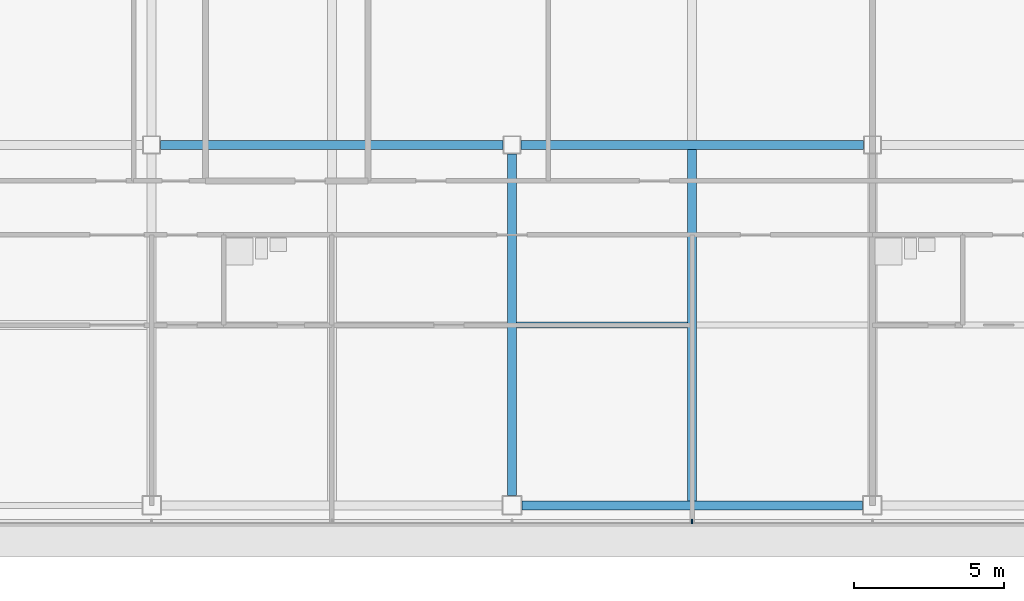
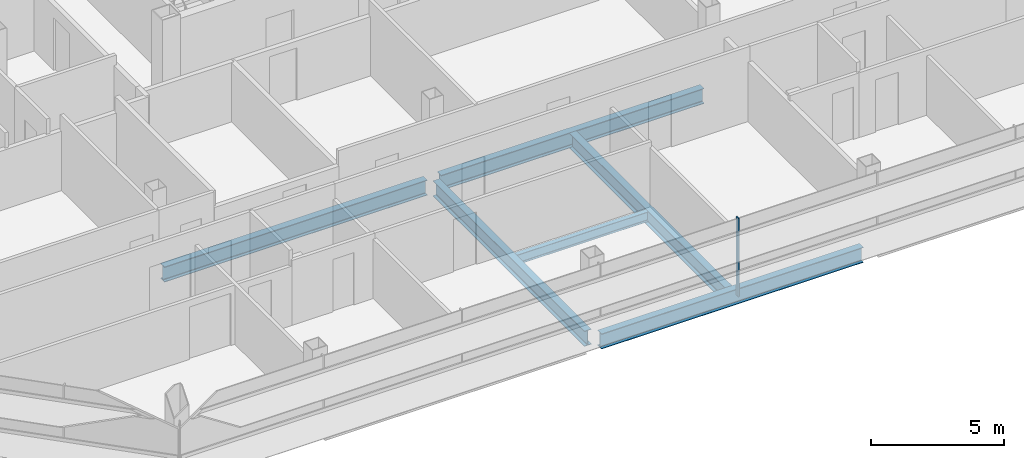
# One storey, part 3 of 26: 6 beams, 1 member, 1 element without a shape of its own.
"""IFC4 building model written with IfcOpenShell, lengths in metres."""

from ifc_helpers import new_model, si_unit, direction, frame, origin, origin_2d, place, context, subcontext, project, spatial, rectangle, i_section, extrude, material, material_profile, profile_set, type_object, element, aggregate, save


model = new_model("IFC4")

# Units and contexts
model_context = context("Model", 3, precision=1e-05, world=origin(), true_north=direction((0.0, 1.0)))
body_context = subcontext(model_context, "Body", "Model", "MODEL_VIEW")
ifc_project = project(units=[si_unit("LENGTHUNIT", "METRE"), si_unit("AREAUNIT", "SQUARE_METRE"), si_unit("VOLUMEUNIT", "CUBIC_METRE"), si_unit("PLANEANGLEUNIT", "RADIAN"), si_unit("MASSUNIT", "GRAM", prefix="KILO")], contexts=[model_context])

# Site, building, storey
site_placement = place(None, origin())
site = spatial("IfcSite", under=ifc_project, at=site_placement, CompositionType="ELEMENT")
building_placement = place(site_placement, origin())
building = spatial("IfcBuilding", under=site, at=building_placement, Name="Sorahane Residences", CompositionType="ELEMENT")
storey_placement = place(building_placement, frame((0.0, 0.0, 222.60009765625)))
storey = spatial("IfcBuildingStorey", under=building, at=storey_placement, Name="L52", CompositionType="ELEMENT", Elevation=222.60009765625)

# Curtain wall, member
ifc_material_1 = material(Name="Dark low-e glass and black anodised aluminium", Category="aluminium")
curtain_wall_type = type_object("IfcCurtainWallType", Name="Curtain wall CW-1 Typical unitised wall", PredefinedType="NOTDEFINED", material=ifc_material_1)
curtain_wall_placement = place(storey_placement, origin())
curtain_wall = element("IfcCurtainWall", 1, at=curtain_wall_placement, inside=storey, type_object=curtain_wall_type, Name="CW-1 curtain wall L52 S1", PredefinedType="NOTDEFINED")
ifc_material_2 = material(Name="Black anodised aluminium", Category="aluminium")
ifc_material_profile_1 = material_profile(ifc_material_2, rectangle(XDim=0.159912109375, YDim=0.050048828125, at=origin_2d()), Name="Curtain wall mullion CW-1 black anodised aluminium 50x160")
ifc_profile_set_1 = profile_set([ifc_material_profile_1], Name="Black anodised aluminium")
member_type = type_object("IfcMemberType", Name="Curtain wall mullion CW-1 black anodised aluminium 50x160", PredefinedType="MULLION", material=ifc_profile_set_1)
member_placement = place(storey_placement, frame((18.0, -0.5400390625, -0.18017578125), z_axis=(0.0, 0.0, 1.0), x_axis=(0.0, -1.0, 0.0)))
member = element("IfcMember", 2, at=member_placement, type_object=member_type, Name="CW-1 mullion L52 S1.5", PredefinedType="MULLION", context=body_context, shape_type="SweptSolid", body=[
    extrude(rectangle(XDim=0.159912109375, YDim=0.050048828125, at=origin_2d()), origin(), (0.0, 0.0, 1.0), 3.60009765625),
])
aggregate(curtain_wall, [member])

# Beams
ifc_material_3 = material(Name="Steel Q355B", Category="steel")
ifc_material_profile_2 = material_profile(ifc_material_3, i_section(OverallWidth=0.199951171875, OverallDepth=0.449951171875, WebThickness=0.009033203125, FlangeThickness=0.013916015625, FilletRadius=0.02001953125, at=origin_2d()), Name="HN 450x200x9x14")
ifc_profile_set_2 = profile_set([ifc_material_profile_2], Name="Steel Q355B")
beam_type_1 = type_object("IfcBeamType", Name="Steel floor beam HN 450x200x9x14 Q355B", PredefinedType="BEAM", material=ifc_profile_set_2)
beam_1_placement = place(storey_placement, frame((12.14990234375, 6.0, -0.405029296875), z_axis=(1.0, 0.0, 0.0), x_axis=(0.0, 1.0, 0.0)))
element("IfcBeam", 3, at=beam_1_placement, inside=storey, type_object=beam_type_1, Name="Beam L52 071", PredefinedType="BEAM", context=body_context, shape_type="SweptSolid", body=[
    extrude(i_section(OverallWidth=0.199951171875, OverallDepth=0.449951171875, WebThickness=0.009033203125, FlangeThickness=0.013916015625, FilletRadius=0.02001953125, at=origin_2d()), origin(), (0.0, 0.0, 1.0), 5.7001953125),
])
ifc_material_4 = material(Name="Steel Q355B", Category="steel")
ifc_material_profile_3 = material_profile(ifc_material_4, i_section(OverallWidth=0.300048828125, OverallDepth=0.699951171875, WebThickness=0.012939453125, FlangeThickness=0.02392578125, FilletRadius=0.028076171875, at=origin_2d()), Name="HN 700x300x13x24")
ifc_profile_set_3 = profile_set([ifc_material_profile_3], Name="Steel Q355B")
beam_type_2 = type_object("IfcBeamType", Name="Steel floor beam HN 700x300x13x24 Q355B", PredefinedType="BEAM", material=ifc_profile_set_3)
beam_2_placement = place(storey_placement, frame((12.324951171875, 0.0, -0.530029296875), z_axis=(1.0, 0.0, 0.0), x_axis=(0.0, 1.0, 0.0)))
element("IfcBeam", 4, at=beam_2_placement, inside=storey, type_object=beam_type_2, Name="Beam L52 002", PredefinedType="BEAM", context=body_context, shape_type="SweptSolid", body=[
    extrude(i_section(OverallWidth=0.300048828125, OverallDepth=0.699951171875, WebThickness=0.012939453125, FlangeThickness=0.02392578125, FilletRadius=0.028076171875, at=origin_2d()), origin(), (0.0, 0.0, 1.0), 11.35009765625),
])
for number, where, z_axis, x_axis, name in (
    (5, (0.300048828125, 12.0, -0.530029296875), (1.0, 0.0, 0.0), (0.0, 1.0, 0.0), "Beam L52 006"),
    (6, (12.300048828125, 12.0, -0.530029296875), (1.0, 0.0, 0.0), (0.0, 1.0, 0.0), "Beam L52 007"),
):
    element("IfcBeam", number, at=place(storey_placement, frame(where, z_axis=z_axis, x_axis=x_axis)), inside=storey, type_object=beam_type_2, Name=name, PredefinedType="BEAM", context=body_context, shape_type="SweptSolid", body=[
        extrude(i_section(OverallWidth=0.300048828125, OverallDepth=0.699951171875, WebThickness=0.012939453125, FlangeThickness=0.02392578125, FilletRadius=0.028076171875, at=origin_2d()), origin(), (0.0, 0.0, 1.0), 11.39990234375),
    ])
beam_3_placement = place(storey_placement, frame((12.0, 0.324951171875, -0.530029296875), z_axis=(0.0, 1.0, 0.0), x_axis=(-1.0, 0.0, 0.0)))
element("IfcBeam", 7, at=beam_3_placement, inside=storey, type_object=beam_type_2, Name="Beam L52 034", PredefinedType="BEAM", context=body_context, shape_type="SweptSolid", body=[
    extrude(i_section(OverallWidth=0.300048828125, OverallDepth=0.699951171875, WebThickness=0.012939453125, FlangeThickness=0.02392578125, FilletRadius=0.028076171875, at=origin_2d()), origin(), (0.0, 0.0, 1.0), 11.375),
])
beam_4_placement = place(storey_placement, frame((18.0, 0.14990234375, -0.530029296875), z_axis=(0.0, 1.0, 0.0), x_axis=(-1.0, 0.0, 0.0)))
element("IfcBeam", 8, at=beam_4_placement, inside=storey, type_object=beam_type_2, Name="Beam L52 036", PredefinedType="BEAM", context=body_context, shape_type="SweptSolid", body=[
    extrude(i_section(OverallWidth=0.300048828125, OverallDepth=0.699951171875, WebThickness=0.012939453125, FlangeThickness=0.02392578125, FilletRadius=0.028076171875, at=origin_2d()), origin(), (0.0, 0.0, 1.0), 11.7001953125),
])

save(model, "model.ifc")
